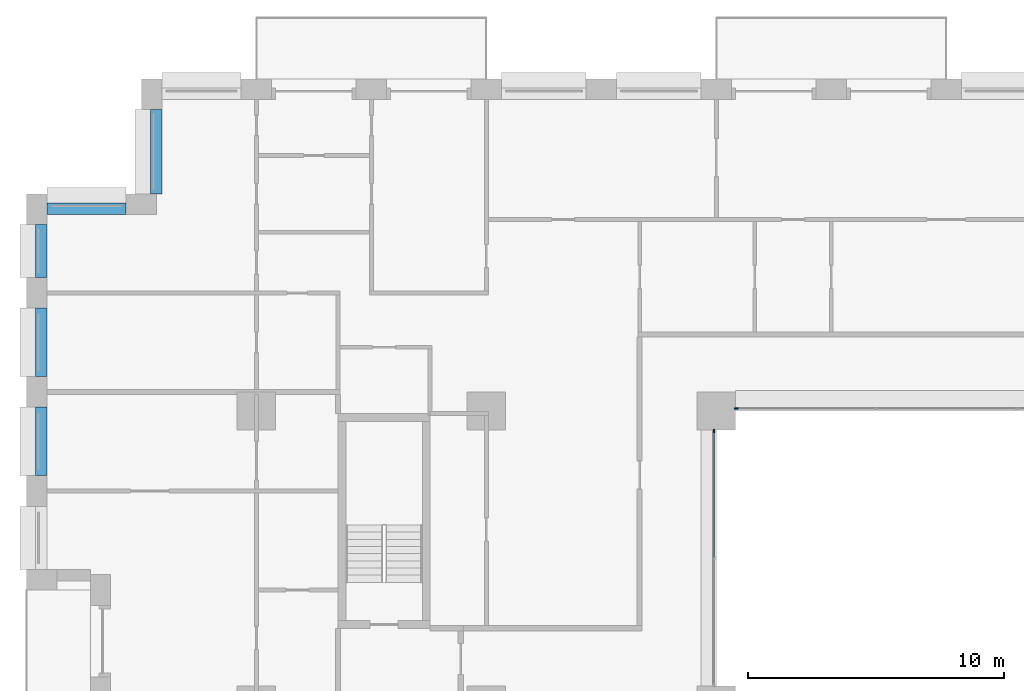
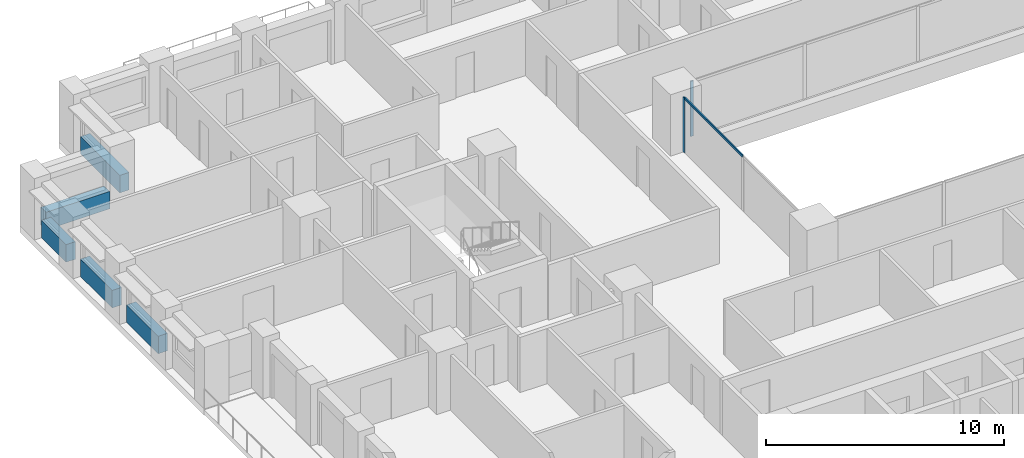
# One storey, part 5 of 19: 5 beams, 3 members, 2 elements without a shape of their own.
"""IFC4 building model written with IfcOpenShell, lengths in metres."""

from ifc_helpers import new_model, si_unit, direction, frame, origin, origin_2d, place, context, subcontext, project, spatial, rectangle, extrude, material, layer, layer_set, material_profile, profile_set, type_object, element, aggregate, save


model = new_model("IFC4")

# Units and contexts
model_context = context("Model", 3, precision=1e-05, world=origin(), true_north=direction((0.0, 1.0)))
body_context = subcontext(model_context, "Body", "Model", "MODEL_VIEW")
ifc_project = project(units=[si_unit("LENGTHUNIT", "METRE"), si_unit("AREAUNIT", "SQUARE_METRE"), si_unit("VOLUMEUNIT", "CUBIC_METRE"), si_unit("PLANEANGLEUNIT", "RADIAN"), si_unit("MASSUNIT", "GRAM", prefix="KILO")], contexts=[model_context])

# Site, building, storey
site_placement = place(None, origin())
site = spatial("IfcSite", under=ifc_project, at=site_placement, CompositionType="ELEMENT")
building_placement = place(site_placement, origin())
building = spatial("IfcBuilding", under=site, at=building_placement, Name="Brigalow Station Residences", CompositionType="ELEMENT")
storey_placement = place(building_placement, frame((0.0, 0.0, 32.10009765625)))
storey = spatial("IfcBuildingStorey", under=building, at=storey_placement, Name="L08", CompositionType="ELEMENT", Elevation=32.10009765625)

# Curtain wall, member
ifc_material_1 = material(Name="Aluminium", Category="aluminium")
ifc_layer = layer(ifc_material_1, 0.14990234375)
ifc_layer_set = layer_set([ifc_layer], Name="ATRIUM FIRE-RATED GLAZING CURTAIN WALL")
curtain_wall_type = type_object("IfcCurtainWallType", Name="ATRIUM FIRE-RATED GLAZING CURTAIN WALL", PredefinedType="NOTDEFINED", material=ifc_layer_set)
curtain_wall_1_placement = place(storey_placement, origin())
curtain_wall_1 = element("IfcCurtainWall", 1, at=curtain_wall_1_placement, inside=storey, type_object=curtain_wall_type, Name="L08/cw/atrium-N", PredefinedType="NOTDEFINED")
ifc_material_2 = material(Name="Aluminium", Category="aluminium")
ifc_material_profile_1 = material_profile(ifc_material_2, rectangle(XDim=0.06005859375, YDim=0.14990234375, at=origin_2d()), Name="ATRIUM FIRE-RATED GLAZING MULLION 60x150")
ifc_profile_set_1 = profile_set([ifc_material_profile_1], Name="Aluminium")
member_type_1 = type_object("IfcMemberType", Name="ATRIUM FIRE-RATED GLAZING MULLION 60x150", PredefinedType="MULLION", material=ifc_profile_set_1)
member_1_placement = place(storey_placement, frame((27.780029296875, 35.60009765625, 0.0), z_axis=(0.0, 0.0, 1.0), x_axis=(0.0, -1.0, 0.0)))
member_1 = element("IfcMember", 2, at=member_1_placement, type_object=member_type_1, Name="L08/cw/atrium-N/M03", PredefinedType="MULLION", context=body_context, shape_type="SweptSolid", body=[
    extrude(rectangle(XDim=0.06005859375, YDim=0.14990234375, at=origin_2d()), origin(), (0.0, 0.0, 1.0), 2.829833984375),
])
aggregate(curtain_wall_1, [member_1])

# Curtain wall, members
curtain_wall_2_placement = place(storey_placement, origin())
curtain_wall_2 = element("IfcCurtainWall", 3, at=curtain_wall_2_placement, inside=storey, type_object=curtain_wall_type, Name="L08/cw/atrium-W", PredefinedType="NOTDEFINED")
member_2_placement = place(storey_placement, frame((26.89990234375, 34.719970703125, 0.0), z_axis=(0.0, 0.0, 1.0), x_axis=(1.0, 0.0, 0.0)))
member_2 = element("IfcMember", 4, at=member_2_placement, type_object=member_type_1, Name="L08/cw/atrium-W/M00", PredefinedType="MULLION", context=body_context, shape_type="SweptSolid", body=[
    extrude(rectangle(XDim=0.06005859375, YDim=0.14990234375, at=origin_2d()), origin(), (0.0, 0.0, 1.0), 2.829833984375),
])
ifc_material_3 = material(Name="Aluminium", Category="aluminium")
ifc_material_profile_2 = material_profile(ifc_material_3, rectangle(XDim=0.06005859375, YDim=0.1201171875, at=origin_2d()), Name="ATRIUM FIRE-RATED GLAZING TRANSOM 60x120")
ifc_profile_set_2 = profile_set([ifc_material_profile_2], Name="Aluminium")
member_type_2 = type_object("IfcMemberType", Name="ATRIUM FIRE-RATED GLAZING TRANSOM 60x120", PredefinedType="USERDEFINED", material=ifc_profile_set_2)
member_3_placement = place(storey_placement, frame((26.89990234375, 34.68994140625, 2.7998046875), z_axis=(0.0, -1.0, 0.0), x_axis=(1.0, 0.0, 0.0)))
member_3 = element("IfcMember", 5, at=member_3_placement, type_object=member_type_2, Name="L08/cw/atrium-W/T00-00", ObjectType="TRANSOM", PredefinedType="USERDEFINED", context=body_context, shape_type="SweptSolid", body=[
    extrude(rectangle(XDim=0.06005859375, YDim=0.1201171875, at=origin_2d()), origin(), (0.0, 0.0, 1.0), 4.909912109375),
])
aggregate(curtain_wall_2, [member_2, member_3])

# Beams
ifc_material_4 = material(Name="Concrete C65", Category="concrete")
ifc_material_profile_3 = material_profile(ifc_material_4, rectangle(XDim=0.449951171875, YDim=0.89990234375, at=origin_2d()), Name="RC450x900")
ifc_profile_set_3 = profile_set([ifc_material_profile_3], Name="Concrete C65")
beam_type = type_object("IfcBeamType", Name="SPANDREL BEAM 450x900 C65", PredefinedType="SPANDREL", material=ifc_profile_set_3)
beam_1_placement = place(storey_placement, frame((5.074951171875, 47.300048828125, 0.449951171875), z_axis=(0.0, -1.0, 0.0), x_axis=(1.0, 0.0, 0.0)))
element("IfcBeam", 6, at=beam_1_placement, inside=storey, type_object=beam_type, Name="L08/spandrel/W-L08-40", PredefinedType="SPANDREL", context=body_context, shape_type="SweptSolid", body=[
    extrude(rectangle(XDim=0.449951171875, YDim=0.89990234375, at=origin_2d()), origin(), (0.0, 0.0, 1.0), 3.300048828125),
])
beam_2_placement = place(storey_placement, frame((3.89990234375, 43.425048828125, 0.449951171875), z_axis=(-1.0, 0.0, 0.0), x_axis=(0.0, -1.0, 0.0)))
element("IfcBeam", 7, at=beam_2_placement, inside=storey, type_object=beam_type, Name="L08/spandrel/W-L08-41", PredefinedType="SPANDREL", context=body_context, shape_type="SweptSolid", body=[
    extrude(rectangle(XDim=0.449951171875, YDim=0.89990234375, at=origin_2d()), origin(), (0.0, 0.0, 1.0), 3.099853515625),
])
beam_3_placement = place(storey_placement, frame((0.574951171875, 42.800048828125, 0.449951171875), z_axis=(0.0, -1.0, 0.0), x_axis=(1.0, 0.0, 0.0)))
element("IfcBeam", 8, at=beam_3_placement, inside=storey, type_object=beam_type, Name="L08/spandrel/W-L08-42", PredefinedType="SPANDREL", context=body_context, shape_type="SweptSolid", body=[
    extrude(rectangle(XDim=0.449951171875, YDim=0.89990234375, at=origin_2d()), origin(), (0.0, 0.0, 1.0), 2.074951171875),
])
for number, where, z_axis, x_axis, name in (
    (9, (0.574951171875, 39.52490234375, 0.449951171875), (0.0, -1.0, 0.0), (1.0, 0.0, 0.0), "L08/spandrel/W-L08-43"),
    (10, (0.574951171875, 35.64990234375, 0.449951171875), (0.0, -1.0, 0.0), (1.0, 0.0, 0.0), "L08/spandrel/W-L08-44"),
):
    element("IfcBeam", number, at=place(storey_placement, frame(where, z_axis=z_axis, x_axis=x_axis)), inside=storey, type_object=beam_type, Name=name, PredefinedType="SPANDREL", context=body_context, shape_type="SweptSolid", body=[
        extrude(rectangle(XDim=0.449951171875, YDim=0.89990234375, at=origin_2d()), origin(), (0.0, 0.0, 1.0), 2.6748046875),
    ])

save(model, "model.ifc")
